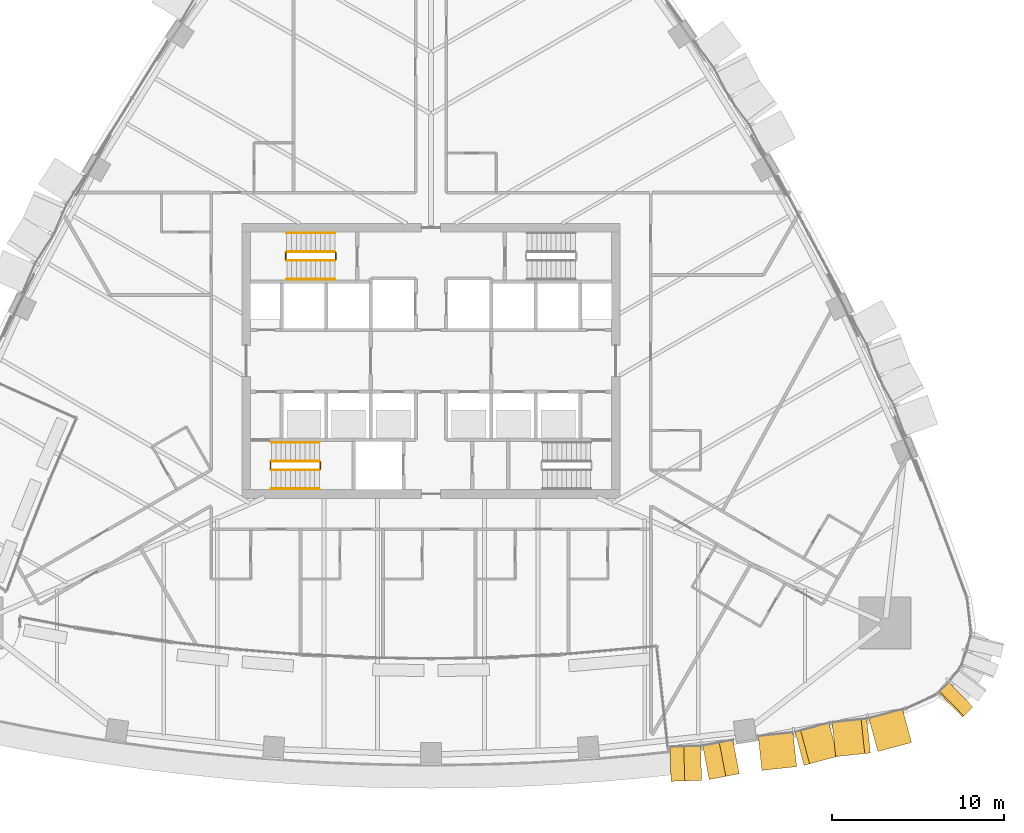
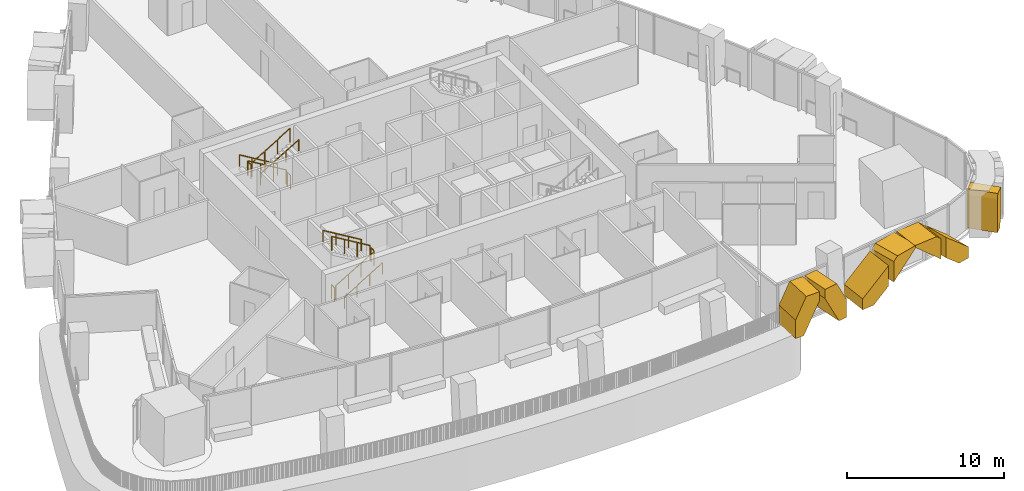
# One storey, part 19 of 22: 12 railings, 7 coverings.
"""IFC4 building model written with IfcOpenShell, lengths in metres."""

from ifc_helpers import new_model, si_unit, direction, frame, origin, origin_2d, place, context, subcontext, project, spatial, polyline, circle, outline, extrude, material, layer, layer_set, type_object, element, save


model = new_model("IFC4")

# Units and contexts
model_context = context("Model", 3, precision=1e-05, world=origin(), true_north=direction((0.0, 1.0)))
body_context = subcontext(model_context, "Body", "Model", "MODEL_VIEW")
ifc_project = project(units=[si_unit("LENGTHUNIT", "METRE"), si_unit("AREAUNIT", "SQUARE_METRE"), si_unit("VOLUMEUNIT", "CUBIC_METRE"), si_unit("PLANEANGLEUNIT", "RADIAN"), si_unit("MASSUNIT", "GRAM", prefix="KILO")], contexts=[model_context])

# Site, building, storey
site_placement = place(None, origin())
site = spatial("IfcSite", under=ifc_project, at=site_placement, CompositionType="ELEMENT")
building_placement = place(site_placement, origin())
building = spatial("IfcBuilding", under=site, at=building_placement, Name="Sierra Prisma Convention Tower", CompositionType="ELEMENT")
storey_placement = place(building_placement, frame((0.0, 0.0, 73.89990234375)))
storey = spatial("IfcBuildingStorey", under=building, at=storey_placement, Name="L14", CompositionType="ELEMENT", Elevation=73.89990234375)

# Coverings
ifc_material_1 = material(Name="Aluminium 6063-T6 bronze anodised", Category="aluminium")
ifc_layer = layer(ifc_material_1, 2.0)
ifc_layer_set = layer_set([ifc_layer], Name="Bronze crystal chevron frame")
covering_type = type_object("IfcCoveringType", Name="Bronze crystal chevron frame", PredefinedType="CLADDING", material=ifc_layer_set)
covering_1_placement = place(storey_placement, frame((13.97607421875, -24.481689453125, 0.0), z_axis=(0.031706963039, -0.99949720699, 4.1409902e-05), x_axis=(0.999497207847, 0.031706963067, 1.478e-09)))
element("IfcCovering", 1, at=covering_1_placement, inside=storey, type_object=covering_type, Name="CW-2 chevron frame S5b.1.1", PredefinedType="CLADDING", context=body_context, shape_type="SweptSolid", body=[
    extrude(outline(polyline([(0.0, 0.0), (0.6153002987331159, 0.0), (1.7843464678867078, 2.2656249980895673), (1.7843464689423294, 2.979980466227086), (0.8026555356794314, 2.979980472673424), (2.105470853222399e-09, 1.4248046862783867), (0.0, 0.0)])), origin(), (0.0, 0.0, -1.0), 2.0),
])
covering_2_placement = place(storey_placement, frame((16.2001953125, -24.376220703125, 2.97998046875), z_axis=(0.187606044309, -0.982244354533, -1.1227102e-05), x_axis=(-2.106272e-06, 1.1027758e-05, -0.999999999937)))
element("IfcCovering", 2, at=covering_2_placement, inside=storey, type_object=covering_type, Name="CW-2 chevron frame S5b.1.2", PredefinedType="CLADDING", context=body_context, shape_type="SweptSolid", body=[
    extrude(outline(polyline([(0.0, 0.0), (0.7143554687049786, 0.0), (2.979980467861055, 1.168936871938889), (2.979980468619268, 1.784120572277527), (1.5551757812090652, 1.784120572277527), (-1.183098921662879e-09, 0.9817676167161248), (0.0, 0.0)])), origin(), (0.0, 0.0, -1.0), 2.0),
])
covering_3_placement = place(storey_placement, frame((19.2705078125, -23.844482421875, 0.0), z_axis=(0.105406941657, -0.994429171244, -5.510118e-06), x_axis=(0.994429171259, 0.105406941659, -8.5e-11)))
element("IfcCovering", 3, at=covering_3_placement, inside=storey, type_object=covering_type, Name="CW-2 chevron frame S6.1.1", PredefinedType="CLADDING", context=body_context, shape_type="SweptSolid", body=[
    extrude(outline(polyline([(0.0, 0.0), (0.8614900742782297, 1.0587911840678754e-22), (2.031335168573639, 1.0036621095637237), (2.0313351684385874, 2.5849609376647193), (-7.191492237112361e-11, 0.8420410156122174), (0.0, 0.0)])), origin(), (0.0, 0.0, -1.0), 2.0),
])
covering_4_placement = place(storey_placement, frame((21.726318359375, -23.549072265625, 2.696533203125), z_axis=(0.259715641025, -0.965685137672, 2.6190242e-05), x_axis=(6.802016e-06, -2.5291527e-05, -0.999999999657)))
element("IfcCovering", 4, at=covering_4_placement, inside=storey, type_object=covering_type, Name="CW-2 chevron frame S6.1.2", PredefinedType="CLADDING", context=body_context, shape_type="SweptSolid", body=[
    extrude(outline(polyline([(0.0, 0.0), (1.581298827582671, 1.33941220687649e-21), (-0.16162109388899437, 2.0313783164807333), (-0.28344726572221235, 2.0313783164807333), (-0.2834472668904348, 0.3306972817823833), (0.0, 0.0)])), origin(), (0.0, 0.0, -1.0), 2.0),
])
covering_5_placement = place(storey_placement, frame((23.56591796875, -23.044189453125, 2.97998046875), z_axis=(0.105533071648, -0.994415793534, -1.8919016e-05), x_axis=(-1.996582e-06, 1.8813369e-05, -0.999999999821)))
element("IfcCovering", 5, at=covering_5_placement, inside=storey, type_object=covering_type, Name="CW-2 chevron frame S6.2.1", PredefinedType="CLADDING", context=body_context, shape_type="SweptSolid", body=[
    extrude(outline(polyline([(0.0, 0.0), (0.12182617185319744, 0.0), (1.8647460935177307, 2.031118139234803), (0.2834472656757271, 2.031118139234803), (-6.095981419617966e-10, 1.700655520195452), (0.0, 0.0)])), origin(), (0.0, 0.0, -1.0), 2.0),
])
covering_6_placement = place(storey_placement, frame((27.983154296875, -22.22119140625, 0.0), z_axis=(0.259732688647, -0.965680552374, -3.4846287e-05), x_axis=(9.05072e-06, -3.3650382e-05, 0.999999999393)))
element("IfcCovering", 6, at=covering_6_placement, inside=storey, type_object=covering_type, Name="CW-2 chevron frame S6.2.2", PredefinedType="CLADDING", context=body_context, shape_type="SweptSolid", body=[
    extrude(outline(polyline([(0.0, 0.0), (0.8420410151137702, 0.0), (2.5849609371492983, 2.031142554441499), (1.0036621099843552, 2.031142554441499), (-2.9425736906577097e-09, 0.8613253874223274), (0.0, 0.0)])), origin(), (0.0, 0.0, -1.0), 2.0),
])
covering_7_placement = place(storey_placement, frame((30.950927734375, -20.73828125, 0.0), z_axis=(0.696588888758, -0.717470500998, -1.6025356e-05), x_axis=(0.71747050109, 0.696588888848, 4.71e-10)))
element("IfcCovering", 7, at=covering_7_placement, inside=storey, type_object=covering_type, Name="CW-2 chevron frame SE2.1.1", PredefinedType="CLADDING", context=body_context, shape_type="SweptSolid", body=[
    extrude(outline(polyline([(0.0, 0.0), (0.5600843479424549, 0.0), (0.8415074397941888, 1.0771484370342448), (0.8415074406907473, 2.97998046803991), (0.09824069078207816, 2.9799804699738695), (1.226930104602711e-09, 2.6040039059156306), (0.0, 0.0)])), origin(), (0.0, 0.0, -1.0), 2.0),
])

# Railings
ifc_material_2 = material(Name="Stainless steel", Category="steel")
railing_type_1 = type_object("IfcRailingType", Name="Exit stair handrail", PredefinedType="HANDRAIL", material=ifc_material_2)
railing_1_placement = place(storey_placement, frame((-9.300048828125, -7.449951171875, 0.168212890625)))
element("IfcRailing", 8, at=railing_1_placement, inside=storey, type_object=railing_type_1, Name="L14 S1 stair handrail 1", PredefinedType="HANDRAIL", context=body_context, shape_type="SweptSolid", body=[
    extrude(circle(Radius=0.02392578125, at=origin_2d()), frame((0.0, 0.0, 0.8759765625), z_axis=(0.857242210791, 0.0, 0.514913383045), x_axis=(0.0, 1.0, 0.0)), (0.0, 0.0, 1.0), 3.266357421875),
    extrude(circle(Radius=0.02099609375, at=origin_2d()), origin(), (0.0, 0.0, 1.0), 0.851806640625),
    extrude(circle(Radius=0.02099609375, at=origin_2d()), frame((0.933349609375, 0.0, 0.560546875)), (0.0, 0.0, 1.0), 0.851806640625),
    extrude(circle(Radius=0.02099609375, at=origin_2d()), frame((1.86669921875, 0.0, 1.121337890625)), (0.0, 0.0, 1.0), 0.851806640625),
    extrude(circle(Radius=0.02099609375, at=origin_2d()), frame((2.800048828125, 0.0, 1.681884765625)), (0.0, 0.0, 1.0), 0.851806640625),
])
railing_2_placement = place(storey_placement, frame((-6.5, -4.75, 2.018310546875)))
element("IfcRailing", 9, at=railing_2_placement, inside=storey, type_object=railing_type_1, Name="L14 S1 stair handrail 2", PredefinedType="HANDRAIL", context=body_context, shape_type="SweptSolid", body=[
    extrude(circle(Radius=0.02392578125, at=origin_2d()), frame((0.0, 0.0, 0.8759765625), z_axis=(-0.857242210791, 0.0, 0.514913383045), x_axis=(0.0, -1.0, 0.0)), (0.0, 0.0, 1.0), 3.266357421875),
    extrude(circle(Radius=0.02099609375, at=origin_2d()), origin(), (0.0, 0.0, 1.0), 0.851806640625),
    extrude(circle(Radius=0.02099609375, at=origin_2d()), frame((-0.933349609375, 0.0, 0.560546875)), (0.0, 0.0, 1.0), 0.851806640625),
    extrude(circle(Radius=0.02099609375, at=origin_2d()), frame((-1.86669921875, 0.0, 1.121337890625)), (0.0, 0.0, 1.0), 0.851806640625),
    extrude(circle(Radius=0.02099609375, at=origin_2d()), frame((-2.800048828125, 0.0, 1.681884765625)), (0.0, 0.0, 1.0), 0.851806640625),
])
railing_3_placement = place(storey_placement, frame((-5.60009765625, 7.449951171875, 0.168212890625)))
element("IfcRailing", 10, at=railing_3_placement, inside=storey, type_object=railing_type_1, Name="L14 S3 stair handrail 1", PredefinedType="HANDRAIL", context=body_context, shape_type="SweptSolid", body=[
    extrude(circle(Radius=0.02392578125, at=origin_2d()), frame((0.0, 0.0, 0.8759765625), z_axis=(-0.857222391501, 0.0, 0.514946377315), x_axis=(0.0, -1.0, 0.0)), (0.0, 0.0, 1.0), 3.26611328125),
    extrude(circle(Radius=0.02099609375, at=origin_2d()), origin(), (0.0, 0.0, 1.0), 0.851806640625),
    extrude(circle(Radius=0.02099609375, at=origin_2d()), frame((-0.933349609375, 0.0, 0.560546875)), (0.0, 0.0, 1.0), 0.851806640625),
    extrude(circle(Radius=0.02099609375, at=origin_2d()), frame((-1.866455078125, 0.0, 1.121337890625)), (0.0, 0.0, 1.0), 0.851806640625),
    extrude(circle(Radius=0.02099609375, at=origin_2d()), frame((-2.7998046875, 0.0, 1.681884765625)), (0.0, 0.0, 1.0), 0.851806640625),
])
railing_4_placement = place(storey_placement, frame((-8.39990234375, 4.75, 2.018310546875)))
element("IfcRailing", 11, at=railing_4_placement, inside=storey, type_object=railing_type_1, Name="L14 S3 stair handrail 2", PredefinedType="HANDRAIL", context=body_context, shape_type="SweptSolid", body=[
    extrude(circle(Radius=0.02392578125, at=origin_2d()), frame((0.0, 0.0, 0.8759765625), z_axis=(0.857222391501, 0.0, 0.514946377315), x_axis=(0.0, 1.0, 0.0)), (0.0, 0.0, 1.0), 3.26611328125),
    extrude(circle(Radius=0.02099609375, at=origin_2d()), origin(), (0.0, 0.0, 1.0), 0.851806640625),
    extrude(circle(Radius=0.02099609375, at=origin_2d()), frame((0.933349609375, 0.0, 0.560546875)), (0.0, 0.0, 1.0), 0.851806640625),
    extrude(circle(Radius=0.02099609375, at=origin_2d()), frame((1.866455078125, 0.0, 1.121337890625)), (0.0, 0.0, 1.0), 0.851806640625),
    extrude(circle(Radius=0.02099609375, at=origin_2d()), frame((2.7998046875, 0.0, 1.681884765625)), (0.0, 0.0, 1.0), 0.851806640625),
])
ifc_material_3 = material(Name="Stainless steel", Category="steel")
railing_type_2 = type_object("IfcRailingType", Name="Stair guard 1100", PredefinedType="GUARDRAIL", material=ifc_material_3)
railing_5_placement = place(storey_placement, frame((-9.300048828125, -6.35009765625, 0.168212890625)))
element("IfcRailing", 12, at=railing_5_placement, inside=storey, type_object=railing_type_2, Name="L14 S1 stair guard 1", PredefinedType="GUARDRAIL", context=body_context, shape_type="SweptSolid", body=[
    extrude(circle(Radius=0.02392578125, at=origin_2d()), frame((0.0, 0.0, 1.076171875), z_axis=(0.857242210791, 0.0, 0.514913383045), x_axis=(0.0, 1.0, 0.0)), (0.0, 0.0, 1.0), 3.266357421875),
    extrude(circle(Radius=0.02099609375, at=origin_2d()), origin(), (0.0, 0.0, 1.0), 1.052001953125),
    extrude(circle(Radius=0.02099609375, at=origin_2d()), frame((0.933349609375, 0.0, 0.560546875)), (0.0, 0.0, 1.0), 1.052001953125),
    extrude(circle(Radius=0.02099609375, at=origin_2d()), frame((1.86669921875, 0.0, 1.121337890625)), (0.0, 0.0, 1.0), 1.052001953125),
    extrude(circle(Radius=0.02099609375, at=origin_2d()), frame((2.800048828125, 0.0, 1.681884765625)), (0.0, 0.0, 1.0), 1.052001953125),
])
railing_6_placement = place(storey_placement, frame((-6.449951171875, -6.300048828125, 1.85009765625)))
element("IfcRailing", 13, at=railing_6_placement, inside=storey, type_object=railing_type_2, Name="L14 S1 stair guard 2", PredefinedType="GUARDRAIL", context=body_context, shape_type="SweptSolid", body=[
    extrude(circle(Radius=0.02392578125, at=origin_2d()), frame((0.0, 0.0, 1.076171875), z_axis=(0.0, 1.0, 0.0), x_axis=(-1.0, 0.0, 0.0)), (0.0, 0.0, 1.0), 0.400146484375),
    extrude(circle(Radius=0.02099609375, at=origin_2d()), origin(), (0.0, 0.0, 1.0), 1.052001953125),
    extrude(circle(Radius=0.02099609375, at=origin_2d()), frame((0.0, 0.400146484375, 0.0)), (0.0, 0.0, 1.0), 1.052001953125),
])
railing_7_placement = place(storey_placement, frame((-6.5, -5.85009765625, 2.018310546875)))
element("IfcRailing", 14, at=railing_7_placement, inside=storey, type_object=railing_type_2, Name="L14 S1 stair guard 3", PredefinedType="GUARDRAIL", context=body_context, shape_type="SweptSolid", body=[
    extrude(circle(Radius=0.02392578125, at=origin_2d()), frame((0.0, 0.0, 1.076171875), z_axis=(-0.857242210791, 0.0, 0.514913383045), x_axis=(0.0, -1.0, 0.0)), (0.0, 0.0, 1.0), 3.266357421875),
    extrude(circle(Radius=0.02099609375, at=origin_2d()), origin(), (0.0, 0.0, 1.0), 1.052001953125),
    extrude(circle(Radius=0.02099609375, at=origin_2d()), frame((-0.933349609375, 0.0, 0.560546875)), (0.0, 0.0, 1.0), 1.052001953125),
    extrude(circle(Radius=0.02099609375, at=origin_2d()), frame((-1.86669921875, 0.0, 1.121337890625)), (0.0, 0.0, 1.0), 1.052001953125),
    extrude(circle(Radius=0.02099609375, at=origin_2d()), frame((-2.800048828125, 0.0, 1.681884765625)), (0.0, 0.0, 1.0), 1.052001953125),
])
railing_8_placement = place(storey_placement, frame((-9.35009765625, -6.300048828125, 0.0)))
element("IfcRailing", 15, at=railing_8_placement, inside=storey, type_object=railing_type_2, Name="L14 S1 stair guard 4", PredefinedType="GUARDRAIL", context=body_context, shape_type="SweptSolid", body=[
    extrude(circle(Radius=0.02392578125, at=origin_2d()), frame((0.0, 0.0, 1.076171875), z_axis=(0.0, 1.0, 0.0), x_axis=(-1.0, 0.0, 0.0)), (0.0, 0.0, 1.0), 0.400146484375),
    extrude(circle(Radius=0.02099609375, at=origin_2d()), origin(), (0.0, 0.0, 1.0), 1.052001953125),
    extrude(circle(Radius=0.02099609375, at=origin_2d()), frame((0.0, 0.400146484375, 0.0)), (0.0, 0.0, 1.0), 1.052001953125),
])
railing_9_placement = place(storey_placement, frame((-5.60009765625, 6.35009765625, 0.168212890625)))
element("IfcRailing", 16, at=railing_9_placement, inside=storey, type_object=railing_type_2, Name="L14 S3 stair guard 1", PredefinedType="GUARDRAIL", context=body_context, shape_type="SweptSolid", body=[
    extrude(circle(Radius=0.02392578125, at=origin_2d()), frame((0.0, 0.0, 1.076171875), z_axis=(-0.857222391501, 0.0, 0.514946377315), x_axis=(0.0, -1.0, 0.0)), (0.0, 0.0, 1.0), 3.26611328125),
    extrude(circle(Radius=0.02099609375, at=origin_2d()), origin(), (0.0, 0.0, 1.0), 1.052001953125),
    extrude(circle(Radius=0.02099609375, at=origin_2d()), frame((-0.933349609375, 0.0, 0.560546875)), (0.0, 0.0, 1.0), 1.052001953125),
    extrude(circle(Radius=0.02099609375, at=origin_2d()), frame((-1.866455078125, 0.0, 1.121337890625)), (0.0, 0.0, 1.0), 1.052001953125),
    extrude(circle(Radius=0.02099609375, at=origin_2d()), frame((-2.7998046875, 0.0, 1.681884765625)), (0.0, 0.0, 1.0), 1.052001953125),
])
railing_10_placement = place(storey_placement, frame((-8.449951171875, 6.300048828125, 1.85009765625)))
element("IfcRailing", 17, at=railing_10_placement, inside=storey, type_object=railing_type_2, Name="L14 S3 stair guard 2", PredefinedType="GUARDRAIL", context=body_context, shape_type="SweptSolid", body=[
    extrude(circle(Radius=0.02392578125, at=origin_2d()), frame((0.0, 0.0, 1.076171875), z_axis=(0.0, -1.0, 0.0), x_axis=(1.0, 0.0, 0.0)), (0.0, 0.0, 1.0), 0.400146484375),
    extrude(circle(Radius=0.02099609375, at=origin_2d()), origin(), (0.0, 0.0, 1.0), 1.052001953125),
    extrude(circle(Radius=0.02099609375, at=origin_2d()), frame((0.0, -0.400146484375, 0.0)), (0.0, 0.0, 1.0), 1.052001953125),
])
railing_11_placement = place(storey_placement, frame((-8.39990234375, 5.85009765625, 2.018310546875)))
element("IfcRailing", 18, at=railing_11_placement, inside=storey, type_object=railing_type_2, Name="L14 S3 stair guard 3", PredefinedType="GUARDRAIL", context=body_context, shape_type="SweptSolid", body=[
    extrude(circle(Radius=0.02392578125, at=origin_2d()), frame((0.0, 0.0, 1.076171875), z_axis=(0.857222391501, 0.0, 0.514946377315), x_axis=(0.0, 1.0, 0.0)), (0.0, 0.0, 1.0), 3.26611328125),
    extrude(circle(Radius=0.02099609375, at=origin_2d()), origin(), (0.0, 0.0, 1.0), 1.052001953125),
    extrude(circle(Radius=0.02099609375, at=origin_2d()), frame((0.933349609375, 0.0, 0.560546875)), (0.0, 0.0, 1.0), 1.052001953125),
    extrude(circle(Radius=0.02099609375, at=origin_2d()), frame((1.866455078125, 0.0, 1.121337890625)), (0.0, 0.0, 1.0), 1.052001953125),
    extrude(circle(Radius=0.02099609375, at=origin_2d()), frame((2.7998046875, 0.0, 1.681884765625)), (0.0, 0.0, 1.0), 1.052001953125),
])
railing_12_placement = place(storey_placement, frame((-5.550048828125, 6.300048828125, 0.0)))
element("IfcRailing", 19, at=railing_12_placement, inside=storey, type_object=railing_type_2, Name="L14 S3 stair guard 4", PredefinedType="GUARDRAIL", context=body_context, shape_type="SweptSolid", body=[
    extrude(circle(Radius=0.02392578125, at=origin_2d()), frame((0.0, 0.0, 1.076171875), z_axis=(0.0, -1.0, 0.0), x_axis=(1.0, 0.0, 0.0)), (0.0, 0.0, 1.0), 0.400146484375),
    extrude(circle(Radius=0.02099609375, at=origin_2d()), origin(), (0.0, 0.0, 1.0), 1.052001953125),
    extrude(circle(Radius=0.02099609375, at=origin_2d()), frame((0.0, -0.400146484375, 0.0)), (0.0, 0.0, 1.0), 1.052001953125),
])

save(model, "model.ifc")
